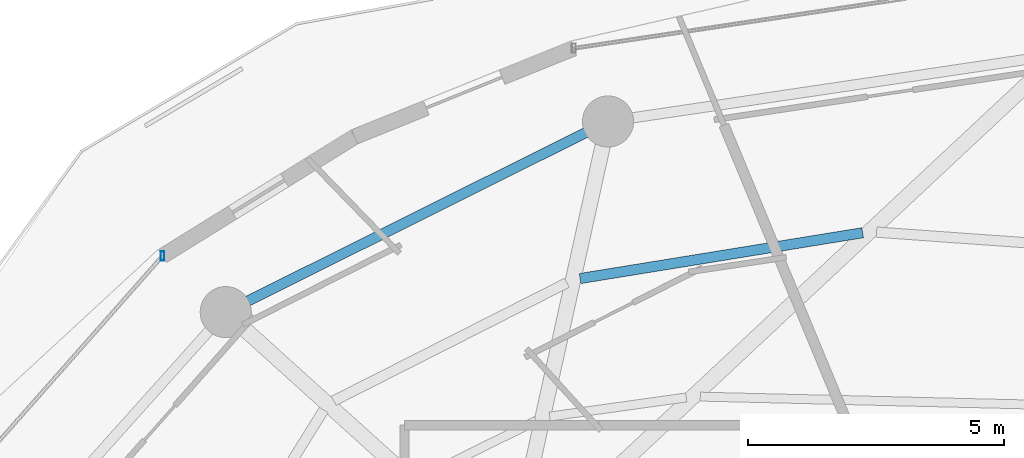
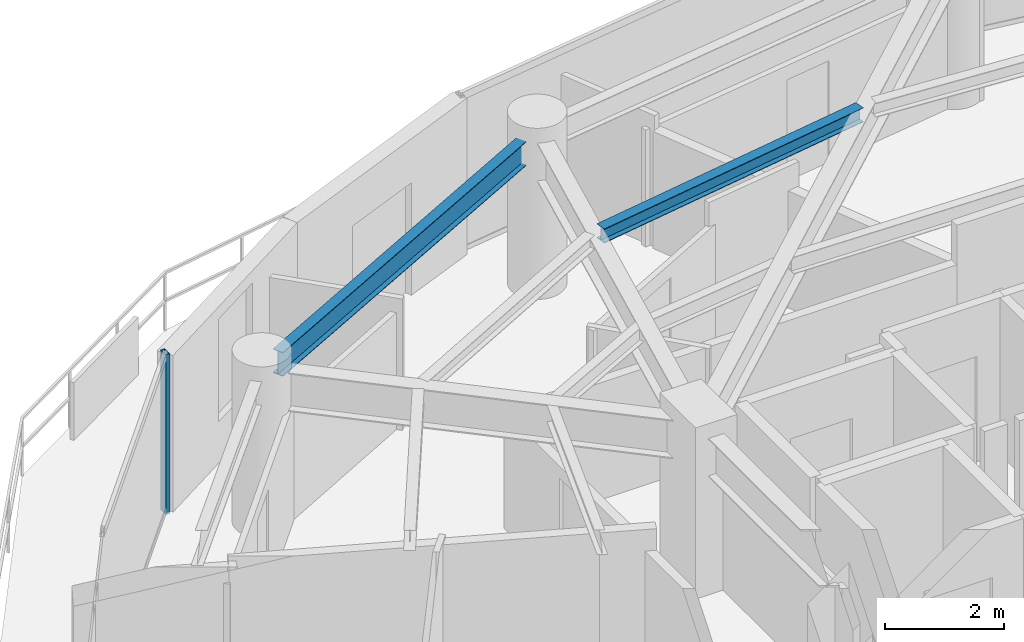
# One storey, part 16 of 29: 2 beams, 1 member, 1 element without a shape of its own.
"""IFC4 building model written with IfcOpenShell, lengths in metres."""

from ifc_helpers import new_model, si_unit, direction, frame, origin, origin_2d, place, context, subcontext, project, spatial, hollow_rectangle, i_section, extrude, material, material_profile, profile_set, type_object, element, aggregate, save


model = new_model("IFC4")

# Units and contexts
model_context = context("Model", 3, precision=1e-05, world=origin(), true_north=direction((0.0, 1.0)))
body_context = subcontext(model_context, "Body", "Model", "MODEL_VIEW")
ifc_project = project(units=[si_unit("LENGTHUNIT", "METRE"), si_unit("AREAUNIT", "SQUARE_METRE"), si_unit("VOLUMEUNIT", "CUBIC_METRE"), si_unit("PLANEANGLEUNIT", "RADIAN"), si_unit("MASSUNIT", "GRAM", prefix="KILO")], contexts=[model_context])

# Site, building, storey
site_placement = place(None, origin())
site = spatial("IfcSite", under=ifc_project, at=site_placement, CompositionType="ELEMENT")
building_placement = place(site_placement, origin())
building = spatial("IfcBuilding", under=site, at=building_placement, Name="Vorneva Point Tower", CompositionType="ELEMENT")
storey_placement = place(building_placement, frame((0.0, 0.0, 171.10009765625)))
storey = spatial("IfcBuildingStorey", under=building, at=storey_placement, Name="L46", CompositionType="ELEMENT", Elevation=171.10009765625)

# Beams
ifc_material_1 = material(Name="Steel S355", Category="steel")
ifc_material_profile_1 = material_profile(ifc_material_1, i_section(OverallWidth=0.199951171875, OverallDepth=0.291015625, WebThickness=0.008056640625, FlangeThickness=0.010986328125, at=origin_2d()), Name="30Sh1")
ifc_profile_set_1 = profile_set([ifc_material_profile_1], Name="Steel S355")
beam_type_1 = type_object("IfcBeamType", Name="BM-SEC-30Sh1", PredefinedType="BEAM", material=ifc_profile_set_1)
beam_1_placement = place(storey_placement, frame((34.159423828125, 39.714599609375, 3.054443359375), z_axis=(-0.987113669352, -0.160020635475, 0.0), x_axis=(0.160020635475, -0.987113669352, 0.0)))
element("IfcBeam", 1, at=beam_1_placement, inside=storey, type_object=beam_type_1, Name="L46 Secondary Floor Beam 1.05", PredefinedType="BEAM", context=body_context, shape_type="SweptSolid", body=[
    extrude(i_section(OverallWidth=0.199951171875, OverallDepth=0.291015625, WebThickness=0.008056640625, FlangeThickness=0.010986328125, at=origin_2d()), origin(), (0.0, 0.0, 1.0), 5.599365234375),
])
ifc_material_profile_2 = material_profile(ifc_material_1, i_section(OverallWidth=0.199951171875, OverallDepth=0.491943359375, WebThickness=0.0087890625, FlangeThickness=0.011962890625, at=origin_2d()), Name="50B1")
ifc_profile_set_2 = profile_set([ifc_material_profile_2], Name="Steel S355")
beam_type_2 = type_object("IfcBeamType", Name="BM-SPN-50B1", PredefinedType="SPANDREL", material=ifc_profile_set_2)
beam_2_placement = place(storey_placement, frame((28.7451171875, 41.67431640625, 2.953857421875), z_axis=(-0.894929061397, -0.446208443518, 0.0), x_axis=(0.446208443518, -0.894929061397, 0.0)))
element("IfcBeam", 2, at=beam_2_placement, inside=storey, type_object=beam_type_2, Name="L46 Perimeter Spandrel Ring Beam 06", PredefinedType="SPANDREL", context=body_context, shape_type="SweptSolid", body=[
    extrude(i_section(OverallWidth=0.199951171875, OverallDepth=0.491943359375, WebThickness=0.0087890625, FlangeThickness=0.011962890625, at=origin_2d()), origin(), (0.0, 0.0, 1.0), 7.385986328125),
])

# Curtain wall, member
ifc_material_2 = material(Name="Pale anodised aluminium", Category="aluminium")
curtain_wall_type = type_object("IfcCurtainWallType", Name="CW-RES-SYS", PredefinedType="NOTDEFINED", material=ifc_material_2)
curtain_wall_placement = place(storey_placement, origin())
curtain_wall = element("IfcCurtainWall", 3, at=curtain_wall_placement, inside=storey, type_object=curtain_wall_type, Name="L46 Unitised Curtain Wall CW-L46-R03", PredefinedType="NOTDEFINED")
ifc_material_profile_3 = material_profile(ifc_material_2, hollow_rectangle(XDim=0.074951171875, YDim=0.179931640625, WallThickness=0.00390625, at=origin_2d()), Name="AL-MUL 180x75x4")
ifc_profile_set_3 = profile_set([ifc_material_profile_3], Name="Pale anodised aluminium")
member_type = type_object("IfcMemberType", Name="CW-MUL-180", PredefinedType="MULLION", material=ifc_profile_set_3)
member_placement = place(storey_placement, frame((20.4638671875, 39.25830078125, -0.0400390625), z_axis=(0.0, 0.0, 1.0), x_axis=(1.0, 0.0, 0.0)))
member = element("IfcMember", 4, at=member_placement, type_object=member_type, Name="CW-L46-R03 Mullion 01", PredefinedType="MULLION", context=body_context, shape_type="SweptSolid", body=[
    extrude(hollow_rectangle(XDim=0.074951171875, YDim=0.179931640625, WallThickness=0.00390625, at=origin_2d()), origin(), (0.0, 0.0, 1.0), 3.27001953125),
])
aggregate(curtain_wall, [member])

save(model, "model.ifc")
